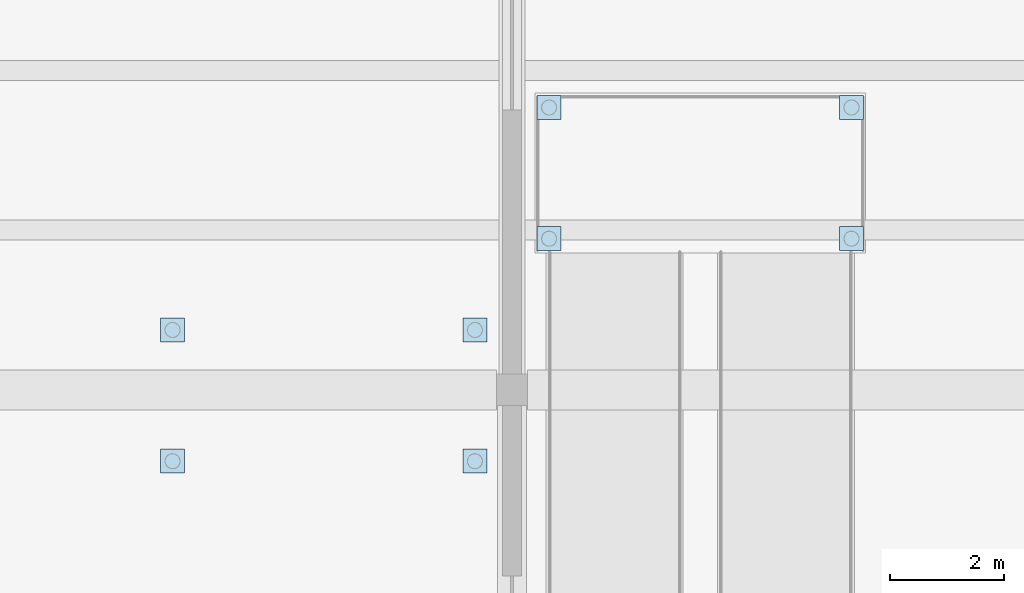
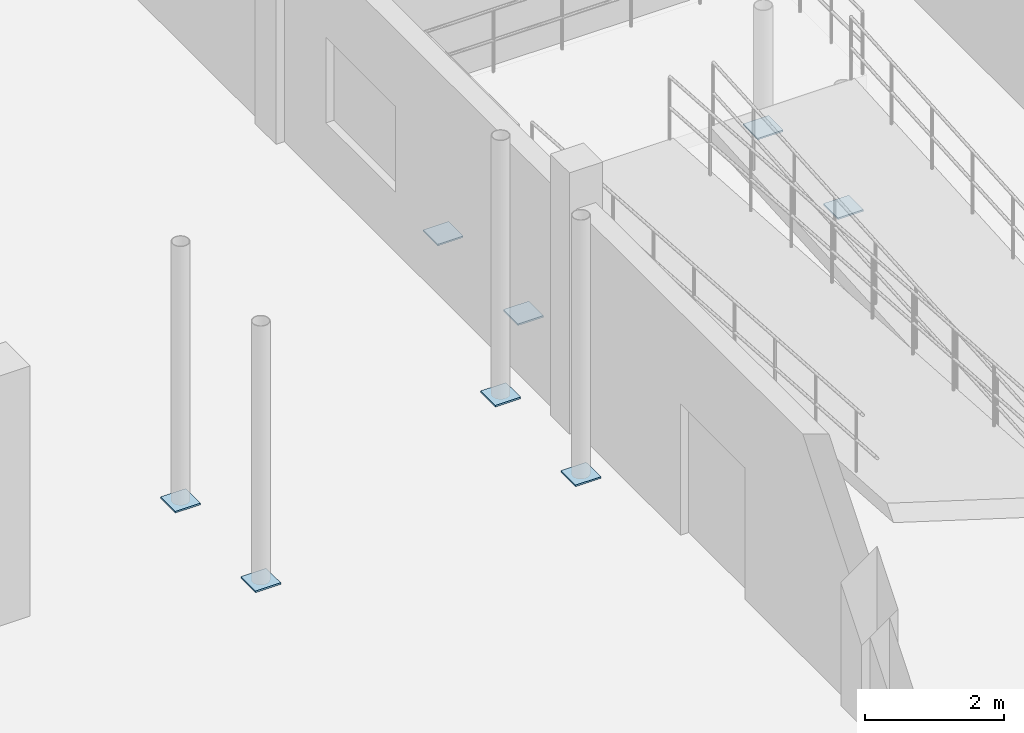
# One storey, part 15 of 30: 8 plates.
"""IFC4 building model written with IfcOpenShell, lengths in metres."""

from ifc_helpers import new_model, si_unit, direction, frame, origin, origin_2d, place, context, subcontext, project, spatial, rectangle, extrude, material, layer, layer_set, type_object, element, save


model = new_model("IFC4")

# Units and contexts
model_context = context("Model", 3, precision=1e-05, world=origin(), true_north=direction((0.0, 1.0)))
body_context = subcontext(model_context, "Body", "Model", "MODEL_VIEW")
ifc_project = project(units=[si_unit("LENGTHUNIT", "METRE"), si_unit("AREAUNIT", "SQUARE_METRE"), si_unit("VOLUMEUNIT", "CUBIC_METRE"), si_unit("PLANEANGLEUNIT", "RADIAN"), si_unit("MASSUNIT", "GRAM", prefix="KILO")], contexts=[model_context])

# Site, building, storey
site_placement = place(None, origin())
site = spatial("IfcSite", under=ifc_project, at=site_placement, CompositionType="ELEMENT")
building_placement = place(site_placement, origin())
building = spatial("IfcBuilding", under=site, at=building_placement, Name="Lornevale Opera House", CompositionType="ELEMENT")
storey_placement = place(building_placement, frame((0.0, 0.0, -4.800048828125)))
storey = spatial("IfcBuildingStorey", under=building, at=storey_placement, Name="B1", CompositionType="ELEMENT", Elevation=-4.800048828125)

# Plates
ifc_material = material(Name="Structural Steel CSA G40.21 Grade 350W (350 MPa)", Category="steel")
ifc_layer = layer(ifc_material, 0.028076171875)
ifc_layer_set = layer_set([ifc_layer], Name="Structural Steel CSA G40.21 Grade 350W (350 MPa)")
plate_type = type_object("IfcPlateType", Name="Ramp Mast Base Plate 420x420x28", PredefinedType="USERDEFINED", material=ifc_layer_set)
for number, where, z_axis, x_axis, name in (
    (1, (163.85009765625, 69.85009765625, 0.0), (0.0, 0.0, 1.0), (1.0, 0.0, 0.0), "Ramp Mast Base Plate PT-MB-0018"),
    (2, (163.85009765625, 72.14990234375, 0.0), (0.0, 0.0, 1.0), (1.0, 0.0, 0.0), "Ramp Mast Base Plate PT-MB-0020"),
    (3, (169.14990234375, 69.85009765625, 0.0), (0.0, 0.0, 1.0), (1.0, 0.0, 0.0), "Ramp Mast Base Plate PT-MB-0022"),
    (4, (169.14990234375, 72.14990234375, 0.0), (0.0, 0.0, 1.0), (1.0, 0.0, 0.0), "Ramp Mast Base Plate PT-MB-0024"),
    (5, (157.25, 65.949951171875, 0.0), (0.0, 0.0, 1.0), (1.0, 0.0, 0.0), "Ramp Mast Base Plate PT-MB-0026"),
    (6, (157.25, 68.25, 0.0), (0.0, 0.0, 1.0), (1.0, 0.0, 0.0), "Ramp Mast Base Plate PT-MB-0029"),
    (7, (162.550048828125, 65.949951171875, 0.0), (0.0, 0.0, 1.0), (1.0, 0.0, 0.0), "Ramp Mast Base Plate PT-MB-0032"),
    (8, (162.550048828125, 68.25, 0.0), (0.0, 0.0, 1.0), (1.0, 0.0, 0.0), "Ramp Mast Base Plate PT-MB-0035"),
):
    element("IfcPlate", number, at=place(storey_placement, frame(where, z_axis=z_axis, x_axis=x_axis)), inside=storey, type_object=plate_type, Name=name, ObjectType="GUSSET PLATE", PredefinedType="USERDEFINED", context=body_context, shape_type="SweptSolid", body=[
        extrude(rectangle(XDim=0.419921875, YDim=0.419921875, at=origin_2d()), origin(), (0.0, 0.0, 1.0), 0.028076171875),
    ])

save(model, "model.ifc")
